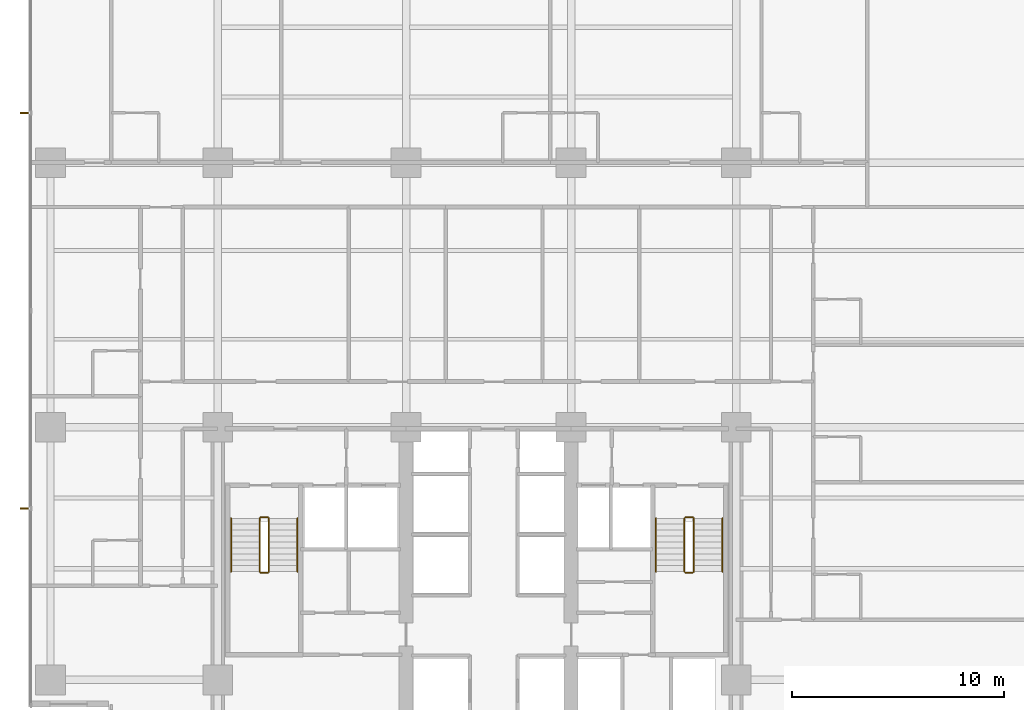
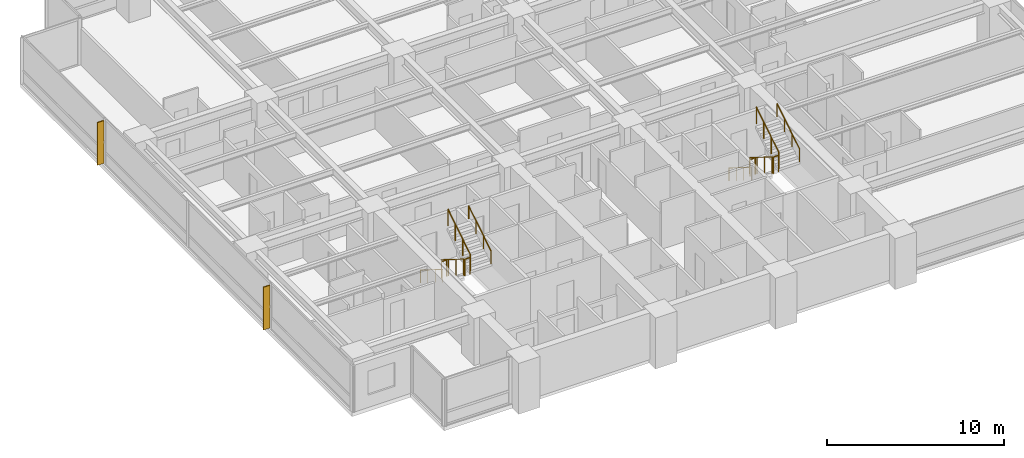
# One storey, part 15 of 16: 12 railings, 2 shading devices.
"""IFC4 building model written with IfcOpenShell, lengths in metres."""

from ifc_helpers import new_model, si_unit, direction, frame, origin, origin_2d, place, context, subcontext, project, spatial, polyline, circle, outline, extrude, material, layer, layer_set, type_object, element, save


model = new_model("IFC4")

# Units and contexts
model_context = context("Model", 3, precision=1e-05, world=origin(), true_north=direction((0.0, 1.0)))
body_context = subcontext(model_context, "Body", "Model", "MODEL_VIEW")
ifc_project = project(units=[si_unit("LENGTHUNIT", "METRE"), si_unit("AREAUNIT", "SQUARE_METRE"), si_unit("VOLUMEUNIT", "CUBIC_METRE"), si_unit("PLANEANGLEUNIT", "RADIAN"), si_unit("MASSUNIT", "GRAM", prefix="KILO")], contexts=[model_context])

# Site, building, storey
site_placement = place(None, origin())
site = spatial("IfcSite", under=ifc_project, at=site_placement, CompositionType="ELEMENT")
building_placement = place(site_placement, origin())
building = spatial("IfcBuilding", under=site, at=building_placement, Name="Qalmaran Belvedere Hotel", CompositionType="ELEMENT")
storey_placement = place(building_placement, frame((0.0, 0.0, 43.89990234375)))
storey = spatial("IfcBuildingStorey", under=building, at=storey_placement, Name="L10", CompositionType="ELEMENT", Elevation=43.89990234375)

# Shading devices
ifc_material_1 = material(Name="Anodised Bronze Aluminium", Category="aluminium")
ifc_layer = layer(ifc_material_1, 0.06494140625, Name="Anodised Bronze Aluminium")
ifc_layer_set = layer_set([ifc_layer], Name="Anodised Bronze Aluminium")
shading_device_type = type_object("IfcShadingDeviceType", Name="FIN-BRNZ-420", PredefinedType="USERDEFINED", material=ifc_layer_set)
shading_device_1_placement = place(storey_placement, frame((0.0, 0.0, 0.16015625)))
element("IfcShadingDevice", 1, at=shading_device_1_placement, inside=storey, type_object=shading_device_type, Name="L10 Bronze Fin 1", ObjectType="FIN", PredefinedType="USERDEFINED", context=body_context, shape_type="SweptSolid", body=[
    extrude(outline(polyline([(11.37744140625, 35.382568359375), (10.95751953125, 35.382568359375), (10.95751953125, 35.3173828125), (11.37744140625, 35.3173828125), (11.37744140625, 35.382568359375)])), origin(), (0.0, 0.0, 1.0), 2.93994140625),
])
shading_device_2_placement = place(storey_placement, frame((0.0, 0.0, 0.16015625)))
element("IfcShadingDevice", 2, at=shading_device_2_placement, inside=storey, type_object=shading_device_type, Name="L10 Bronze Fin 3", ObjectType="FIN", PredefinedType="USERDEFINED", context=body_context, shape_type="SweptSolid", body=[
    extrude(outline(polyline([(11.37744140625, 16.6826171875), (10.95751953125, 16.6826171875), (10.95751953125, 16.617431640625), (11.37744140625, 16.617431640625), (11.37744140625, 16.6826171875)])), origin(), (0.0, 0.0, 1.0), 2.93994140625),
])

# Railings
ifc_material_2 = material(Name="Stainless Steel 1.4401", Category="steel")
railing_type_1 = type_object("IfcRailingType", Name="RLG-STAIR-GUARD-1150", PredefinedType="GUARDRAIL", material=ifc_material_2)
railing_1_placement = place(storey_placement, frame((22.280029296875, 16.18994140625, 0.175048828125)))
element("IfcRailing", 3, at=railing_1_placement, inside=storey, type_object=railing_type_1, Name="L10 ST-1 stair guard 1", PredefinedType="GUARDRAIL", context=body_context, shape_type="SweptSolid", body=[
    extrude(circle(Radius=0.02392578125, at=origin_2d()), frame((0.0, 0.0, 1.1259765625), z_axis=(0.0, -0.848007534815, 0.529984170421), x_axis=(1.0, 0.0, 0.0)), (0.0, 0.0, 1.0), 2.9716796875),
    extrude(circle(Radius=0.02099609375, at=origin_2d()), origin(), (0.0, 0.0, 1.0), 1.101806640625),
    extrude(circle(Radius=0.02099609375, at=origin_2d()), frame((0.0, -0.840087890625, 0.52490234375)), (0.0, 0.0, 1.0), 1.101806640625),
    extrude(circle(Radius=0.02099609375, at=origin_2d()), frame((0.0, -1.679931640625, 1.050048828125)), (0.0, 0.0, 1.0), 1.101806640625),
    extrude(circle(Radius=0.02099609375, at=origin_2d()), frame((0.0, -2.52001953125, 1.574951171875)), (0.0, 0.0, 1.0), 1.101806640625),
])
railing_2_placement = place(storey_placement, frame((22.330078125, 13.6201171875, 1.75)))
element("IfcRailing", 4, at=railing_2_placement, inside=storey, type_object=railing_type_1, Name="L10 ST-1 stair guard 2", PredefinedType="GUARDRAIL", context=body_context, shape_type="SweptSolid", body=[
    extrude(circle(Radius=0.02392578125, at=origin_2d()), frame((0.0, 0.0, 1.1259765625), z_axis=(1.0, 0.0, 0.0), x_axis=(0.0, 1.0, 0.0)), (0.0, 0.0, 1.0), 0.33984375),
    extrude(circle(Radius=0.02099609375, at=origin_2d()), origin(), (0.0, 0.0, 1.0), 1.101806640625),
    extrude(circle(Radius=0.02099609375, at=origin_2d()), frame((0.33984375, 0.0, 0.0)), (0.0, 0.0, 1.0), 1.101806640625),
])
railing_3_placement = place(storey_placement, frame((22.719970703125, 13.669921875, 1.925048828125)))
element("IfcRailing", 5, at=railing_3_placement, inside=storey, type_object=railing_type_1, Name="L10 ST-1 stair guard 3", PredefinedType="GUARDRAIL", context=body_context, shape_type="SweptSolid", body=[
    extrude(circle(Radius=0.02392578125, at=origin_2d()), frame((0.0, 0.0, 1.1259765625), z_axis=(0.0, 0.848007534815, 0.529984170421), x_axis=(-1.0, 0.0, 0.0)), (0.0, 0.0, 1.0), 2.9716796875),
    extrude(circle(Radius=0.02099609375, at=origin_2d()), origin(), (0.0, 0.0, 1.0), 1.101806640625),
    extrude(circle(Radius=0.02099609375, at=origin_2d()), frame((0.0, 0.840087890625, 0.52490234375)), (0.0, 0.0, 1.0), 1.101806640625),
    extrude(circle(Radius=0.02099609375, at=origin_2d()), frame((0.0, 1.679931640625, 1.050048828125)), (0.0, 0.0, 1.0), 1.101806640625),
    extrude(circle(Radius=0.02099609375, at=origin_2d()), frame((0.0, 2.52001953125, 1.574951171875)), (0.0, 0.0, 1.0), 1.101806640625),
])
railing_4_placement = place(storey_placement, frame((22.330078125, 16.239990234375, 0.0)))
element("IfcRailing", 6, at=railing_4_placement, inside=storey, type_object=railing_type_1, Name="L10 ST-1 stair guard 4", PredefinedType="GUARDRAIL", context=body_context, shape_type="SweptSolid", body=[
    extrude(circle(Radius=0.02392578125, at=origin_2d()), frame((0.0, 0.0, 1.1259765625), z_axis=(1.0, 0.0, 0.0), x_axis=(0.0, 1.0, 0.0)), (0.0, 0.0, 1.0), 0.33984375),
    extrude(circle(Radius=0.02099609375, at=origin_2d()), origin(), (0.0, 0.0, 1.0), 1.101806640625),
    extrude(circle(Radius=0.02099609375, at=origin_2d()), frame((0.33984375, 0.0, 0.0)), (0.0, 0.0, 1.0), 1.101806640625),
])
railing_5_placement = place(storey_placement, frame((42.360107421875, 16.18994140625, 0.175048828125)))
element("IfcRailing", 7, at=railing_5_placement, inside=storey, type_object=railing_type_1, Name="L10 ST-2 stair guard 1", PredefinedType="GUARDRAIL", context=body_context, shape_type="SweptSolid", body=[
    extrude(circle(Radius=0.02392578125, at=origin_2d()), frame((0.0, 0.0, 1.1259765625), z_axis=(0.0, -0.848007534815, 0.529984170421), x_axis=(1.0, 0.0, 0.0)), (0.0, 0.0, 1.0), 2.9716796875),
    extrude(circle(Radius=0.02099609375, at=origin_2d()), origin(), (0.0, 0.0, 1.0), 1.101806640625),
    extrude(circle(Radius=0.02099609375, at=origin_2d()), frame((0.0, -0.840087890625, 0.52490234375)), (0.0, 0.0, 1.0), 1.101806640625),
    extrude(circle(Radius=0.02099609375, at=origin_2d()), frame((0.0, -1.679931640625, 1.050048828125)), (0.0, 0.0, 1.0), 1.101806640625),
    extrude(circle(Radius=0.02099609375, at=origin_2d()), frame((0.0, -2.52001953125, 1.574951171875)), (0.0, 0.0, 1.0), 1.101806640625),
])
railing_6_placement = place(storey_placement, frame((42.409912109375, 13.6201171875, 1.75)))
element("IfcRailing", 8, at=railing_6_placement, inside=storey, type_object=railing_type_1, Name="L10 ST-2 stair guard 2", PredefinedType="GUARDRAIL", context=body_context, shape_type="SweptSolid", body=[
    extrude(circle(Radius=0.02392578125, at=origin_2d()), frame((0.0, 0.0, 1.1259765625), z_axis=(1.0, 0.0, 0.0), x_axis=(0.0, 1.0, 0.0)), (0.0, 0.0, 1.0), 0.340087890625),
    extrude(circle(Radius=0.02099609375, at=origin_2d()), origin(), (0.0, 0.0, 1.0), 1.101806640625),
    extrude(circle(Radius=0.02099609375, at=origin_2d()), frame((0.340087890625, 0.0, 0.0)), (0.0, 0.0, 1.0), 1.101806640625),
])
railing_7_placement = place(storey_placement, frame((42.800048828125, 13.669921875, 1.925048828125)))
element("IfcRailing", 9, at=railing_7_placement, inside=storey, type_object=railing_type_1, Name="L10 ST-2 stair guard 3", PredefinedType="GUARDRAIL", context=body_context, shape_type="SweptSolid", body=[
    extrude(circle(Radius=0.02392578125, at=origin_2d()), frame((0.0, 0.0, 1.1259765625), z_axis=(0.0, 0.848007534815, 0.529984170421), x_axis=(-1.0, 0.0, 0.0)), (0.0, 0.0, 1.0), 2.9716796875),
    extrude(circle(Radius=0.02099609375, at=origin_2d()), origin(), (0.0, 0.0, 1.0), 1.101806640625),
    extrude(circle(Radius=0.02099609375, at=origin_2d()), frame((0.0, 0.840087890625, 0.52490234375)), (0.0, 0.0, 1.0), 1.101806640625),
    extrude(circle(Radius=0.02099609375, at=origin_2d()), frame((0.0, 1.679931640625, 1.050048828125)), (0.0, 0.0, 1.0), 1.101806640625),
    extrude(circle(Radius=0.02099609375, at=origin_2d()), frame((0.0, 2.52001953125, 1.574951171875)), (0.0, 0.0, 1.0), 1.101806640625),
])
railing_8_placement = place(storey_placement, frame((42.409912109375, 16.239990234375, 0.0)))
element("IfcRailing", 10, at=railing_8_placement, inside=storey, type_object=railing_type_1, Name="L10 ST-2 stair guard 4", PredefinedType="GUARDRAIL", context=body_context, shape_type="SweptSolid", body=[
    extrude(circle(Radius=0.02392578125, at=origin_2d()), frame((0.0, 0.0, 1.1259765625), z_axis=(1.0, 0.0, 0.0), x_axis=(0.0, 1.0, 0.0)), (0.0, 0.0, 1.0), 0.340087890625),
    extrude(circle(Radius=0.02099609375, at=origin_2d()), origin(), (0.0, 0.0, 1.0), 1.101806640625),
    extrude(circle(Radius=0.02099609375, at=origin_2d()), frame((0.340087890625, 0.0, 0.0)), (0.0, 0.0, 1.0), 1.101806640625),
])
railing_type_2 = type_object("IfcRailingType", Name="RLG-STAIR-HAND-910", PredefinedType="HANDRAIL", material=ifc_material_2)
railing_9_placement = place(storey_placement, frame((20.929931640625, 16.18994140625, 0.175048828125)))
element("IfcRailing", 11, at=railing_9_placement, inside=storey, type_object=railing_type_2, Name="L10 ST-1 stair handrail 1", PredefinedType="HANDRAIL", context=body_context, shape_type="SweptSolid", body=[
    extrude(circle(Radius=0.02392578125, at=origin_2d()), frame((0.0, 0.0, 0.8857421875), z_axis=(0.0, -0.848007534815, 0.529984170421), x_axis=(1.0, 0.0, 0.0)), (0.0, 0.0, 1.0), 2.9716796875),
    extrude(circle(Radius=0.02099609375, at=origin_2d()), origin(), (0.0, 0.0, 1.0), 0.86181640625),
    extrude(circle(Radius=0.02099609375, at=origin_2d()), frame((0.0, -0.840087890625, 0.52490234375)), (0.0, 0.0, 1.0), 0.86181640625),
    extrude(circle(Radius=0.02099609375, at=origin_2d()), frame((0.0, -1.679931640625, 1.050048828125)), (0.0, 0.0, 1.0), 0.86181640625),
    extrude(circle(Radius=0.02099609375, at=origin_2d()), frame((0.0, -2.52001953125, 1.574951171875)), (0.0, 0.0, 1.0), 0.86181640625),
])
railing_10_placement = place(storey_placement, frame((24.070068359375, 13.669921875, 1.925048828125)))
element("IfcRailing", 12, at=railing_10_placement, inside=storey, type_object=railing_type_2, Name="L10 ST-1 stair handrail 2", PredefinedType="HANDRAIL", context=body_context, shape_type="SweptSolid", body=[
    extrude(circle(Radius=0.02392578125, at=origin_2d()), frame((0.0, 0.0, 0.8857421875), z_axis=(0.0, 0.848007534815, 0.529984170421), x_axis=(-1.0, 0.0, 0.0)), (0.0, 0.0, 1.0), 2.9716796875),
    extrude(circle(Radius=0.02099609375, at=origin_2d()), origin(), (0.0, 0.0, 1.0), 0.86181640625),
    extrude(circle(Radius=0.02099609375, at=origin_2d()), frame((0.0, 0.840087890625, 0.52490234375)), (0.0, 0.0, 1.0), 0.86181640625),
    extrude(circle(Radius=0.02099609375, at=origin_2d()), frame((0.0, 1.679931640625, 1.050048828125)), (0.0, 0.0, 1.0), 0.86181640625),
    extrude(circle(Radius=0.02099609375, at=origin_2d()), frame((0.0, 2.52001953125, 1.574951171875)), (0.0, 0.0, 1.0), 0.86181640625),
])
railing_11_placement = place(storey_placement, frame((41.010009765625, 16.18994140625, 0.175048828125)))
element("IfcRailing", 13, at=railing_11_placement, inside=storey, type_object=railing_type_2, Name="L10 ST-2 stair handrail 1", PredefinedType="HANDRAIL", context=body_context, shape_type="SweptSolid", body=[
    extrude(circle(Radius=0.02392578125, at=origin_2d()), frame((0.0, 0.0, 0.8857421875), z_axis=(0.0, -0.848007534815, 0.529984170421), x_axis=(1.0, 0.0, 0.0)), (0.0, 0.0, 1.0), 2.9716796875),
    extrude(circle(Radius=0.02099609375, at=origin_2d()), origin(), (0.0, 0.0, 1.0), 0.86181640625),
    extrude(circle(Radius=0.02099609375, at=origin_2d()), frame((0.0, -0.840087890625, 0.52490234375)), (0.0, 0.0, 1.0), 0.86181640625),
    extrude(circle(Radius=0.02099609375, at=origin_2d()), frame((0.0, -1.679931640625, 1.050048828125)), (0.0, 0.0, 1.0), 0.86181640625),
    extrude(circle(Radius=0.02099609375, at=origin_2d()), frame((0.0, -2.52001953125, 1.574951171875)), (0.0, 0.0, 1.0), 0.86181640625),
])
railing_12_placement = place(storey_placement, frame((44.14990234375, 13.669921875, 1.925048828125)))
element("IfcRailing", 14, at=railing_12_placement, inside=storey, type_object=railing_type_2, Name="L10 ST-2 stair handrail 2", PredefinedType="HANDRAIL", context=body_context, shape_type="SweptSolid", body=[
    extrude(circle(Radius=0.02392578125, at=origin_2d()), frame((0.0, 0.0, 0.8857421875), z_axis=(0.0, 0.848007534815, 0.529984170421), x_axis=(-1.0, 0.0, 0.0)), (0.0, 0.0, 1.0), 2.9716796875),
    extrude(circle(Radius=0.02099609375, at=origin_2d()), origin(), (0.0, 0.0, 1.0), 0.86181640625),
    extrude(circle(Radius=0.02099609375, at=origin_2d()), frame((0.0, 0.840087890625, 0.52490234375)), (0.0, 0.0, 1.0), 0.86181640625),
    extrude(circle(Radius=0.02099609375, at=origin_2d()), frame((0.0, 1.679931640625, 1.050048828125)), (0.0, 0.0, 1.0), 0.86181640625),
    extrude(circle(Radius=0.02099609375, at=origin_2d()), frame((0.0, 2.52001953125, 1.574951171875)), (0.0, 0.0, 1.0), 0.86181640625),
])

save(model, "model.ifc")
